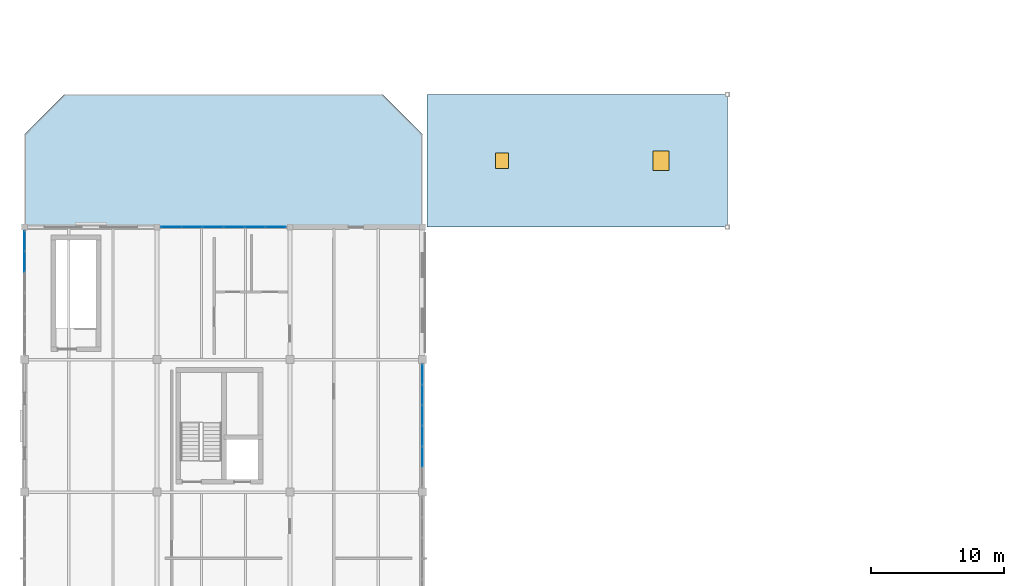
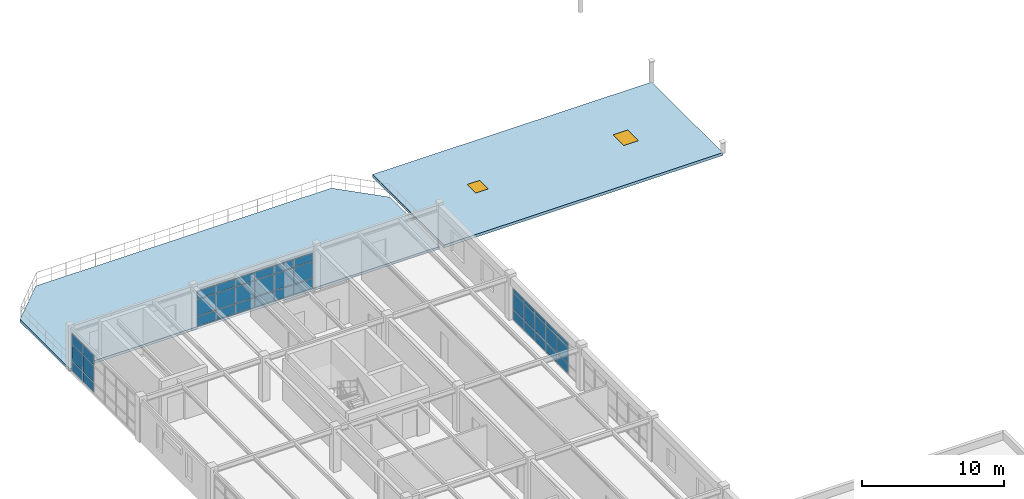
# One storey, part 16 of 23: 39 plates, 2 doors, 2 slabs, 2 openings, 3 elements without a shape of their own.
"""IFC4 building model written with IfcOpenShell, lengths in metres."""

from ifc_helpers import new_model, si_unit, direction, frame, origin, origin_2d, place, context, subcontext, project, spatial, polyline, rectangle, outline, extrude, material, layer, layer_set, type_object, element, fill, aggregate, save


model = new_model("IFC4")

# Units and contexts
model_context = context("Model", 3, precision=1e-05, world=origin(), true_north=direction((0.0, 1.0)))
body_context = subcontext(model_context, "Body", "Model", "MODEL_VIEW")
ifc_project = project(units=[si_unit("LENGTHUNIT", "METRE"), si_unit("AREAUNIT", "SQUARE_METRE"), si_unit("VOLUMEUNIT", "CUBIC_METRE"), si_unit("PLANEANGLEUNIT", "RADIAN"), si_unit("MASSUNIT", "GRAM", prefix="KILO"), si_unit("THERMODYNAMICTEMPERATUREUNIT", "KELVIN"), si_unit("POWERUNIT", "WATT")], contexts=[model_context])

# Site, building, storey
site_placement = place(None, origin())
site = spatial("IfcSite", under=ifc_project, at=site_placement, CompositionType="ELEMENT")
building_placement = place(site_placement, origin())
building = spatial("IfcBuilding", under=site, at=building_placement, Name="Korenveer Ferry Terminal", CompositionType="ELEMENT")
storey_placement = place(building_placement, frame((0.0, 0.0, 14.39990234375)))
storey = spatial("IfcBuildingStorey", under=building, at=storey_placement, Name="L03", CompositionType="ELEMENT", Elevation=14.39990234375)

# Curtain wall, plates
ifc_material_1 = material(Name="Unitised bronze-and-glass curtain wall", Category="glass")
ifc_layer_1 = layer(ifc_material_1, 0.159912109375)
ifc_layer_set_1 = layer_set([ifc_layer_1], Name="Unitised bronze-and-glass curtain wall")
curtain_wall_type_1 = type_object("IfcCurtainWallType", Name="ENV-CW-125", PredefinedType="USERDEFINED", material=ifc_layer_set_1)
curtain_wall_1_placement = place(storey_placement, frame((10.2548828125, 70.0, 0.0)))
curtain_wall_1 = element("IfcCurtainWall", 1, at=curtain_wall_1_placement, inside=storey, type_object=curtain_wall_type_1, Name="Lancet curtain wall CWX-L03-X10-20-Y70-70", ObjectType="UNITISED CURTAIN WALL", PredefinedType="USERDEFINED")
ifc_material_2 = material(Name="Low-iron solar-control double glazing", Category="glass")
ifc_layer_2 = layer(ifc_material_2, 0.028076171875)
ifc_layer_set_2 = layer_set([ifc_layer_2], Name="Low-iron solar-control double glazing")
plate_type = type_object("IfcPlateType", Name="ENV-CWP-GLZ28", PredefinedType="CURTAIN_PANEL", material=ifc_layer_set_2)
plate_1_placement = place(storey_placement, frame((11.060791015625, 70.0, 0.06005859375), z_axis=(0.0, 0.0, 1.0), x_axis=(1.0, 0.0, 0.0)))
plate_1 = element("IfcPlate", 2, at=plate_1_placement, type_object=plate_type, Name="CW-125 panel 1.1", PredefinedType="CURTAIN_PANEL", context=body_context, shape_type="SweptSolid", body=[
    extrude(rectangle(XDim=1.49169921875, YDim=0.028076171875, at=origin_2d()), origin(), (0.0, 0.0, 1.0), 0.81005859375),
])
plate_2_placement = place(storey_placement, frame((11.060791015625, 70.0, 0.93017578125), z_axis=(0.0, 0.0, 1.0), x_axis=(1.0, 0.0, 0.0)))
plate_2 = element("IfcPlate", 3, at=plate_2_placement, type_object=plate_type, Name="CW-125 panel 1.2", PredefinedType="CURTAIN_PANEL", context=body_context, shape_type="SweptSolid", body=[
    extrude(rectangle(XDim=1.49169921875, YDim=0.028076171875, at=origin_2d()), origin(), (0.0, 0.0, 1.0), 1.389892578125),
])
plate_3_placement = place(storey_placement, frame((11.060791015625, 70.0, 2.38037109375), z_axis=(0.0, 0.0, 1.0), x_axis=(1.0, 0.0, 0.0)))
plate_3 = element("IfcPlate", 4, at=plate_3_placement, type_object=plate_type, Name="CW-125 panel 1.3", PredefinedType="CURTAIN_PANEL", context=body_context, shape_type="SweptSolid", body=[
    extrude(rectangle(XDim=1.49169921875, YDim=0.028076171875, at=origin_2d()), origin(), (0.0, 0.0, 1.0), 0.659912109375),
])
plate_4_placement = place(storey_placement, frame((12.62744140625, 70.0, 0.06005859375), z_axis=(0.0, 0.0, 1.0), x_axis=(1.0, 0.0, 0.0)))
plate_4 = element("IfcPlate", 5, at=plate_4_placement, type_object=plate_type, Name="CW-125 panel 2.1", PredefinedType="CURTAIN_PANEL", context=body_context, shape_type="SweptSolid", body=[
    extrude(rectangle(XDim=1.521728515625, YDim=0.028076171875, at=origin_2d()), origin(), (0.0, 0.0, 1.0), 0.81005859375),
])
plate_5_placement = place(storey_placement, frame((12.62744140625, 70.0, 0.93017578125), z_axis=(0.0, 0.0, 1.0), x_axis=(1.0, 0.0, 0.0)))
plate_5 = element("IfcPlate", 6, at=plate_5_placement, type_object=plate_type, Name="CW-125 panel 2.2", PredefinedType="CURTAIN_PANEL", context=body_context, shape_type="SweptSolid", body=[
    extrude(rectangle(XDim=1.521728515625, YDim=0.028076171875, at=origin_2d()), origin(), (0.0, 0.0, 1.0), 1.389892578125),
])
plate_6_placement = place(storey_placement, frame((12.62744140625, 70.0, 2.38037109375), z_axis=(0.0, 0.0, 1.0), x_axis=(1.0, 0.0, 0.0)))
plate_6 = element("IfcPlate", 7, at=plate_6_placement, type_object=plate_type, Name="CW-125 panel 2.3", PredefinedType="CURTAIN_PANEL", context=body_context, shape_type="SweptSolid", body=[
    extrude(rectangle(XDim=1.521728515625, YDim=0.028076171875, at=origin_2d()), origin(), (0.0, 0.0, 1.0), 0.659912109375),
])
plate_7_placement = place(storey_placement, frame((14.209228515625, 70.0, 0.06005859375), z_axis=(0.0, 0.0, 1.0), x_axis=(1.0, 0.0, 0.0)))
plate_7 = element("IfcPlate", 8, at=plate_7_placement, type_object=plate_type, Name="CW-125 panel 3.1", PredefinedType="CURTAIN_PANEL", context=body_context, shape_type="SweptSolid", body=[
    extrude(rectangle(XDim=1.521728515625, YDim=0.028076171875, at=origin_2d()), origin(), (0.0, 0.0, 1.0), 0.81005859375),
])
plate_8_placement = place(storey_placement, frame((14.209228515625, 70.0, 0.93017578125), z_axis=(0.0, 0.0, 1.0), x_axis=(1.0, 0.0, 0.0)))
plate_8 = element("IfcPlate", 9, at=plate_8_placement, type_object=plate_type, Name="CW-125 panel 3.2", PredefinedType="CURTAIN_PANEL", context=body_context, shape_type="SweptSolid", body=[
    extrude(rectangle(XDim=1.521728515625, YDim=0.028076171875, at=origin_2d()), origin(), (0.0, 0.0, 1.0), 1.389892578125),
])
plate_9_placement = place(storey_placement, frame((14.209228515625, 70.0, 2.38037109375), z_axis=(0.0, 0.0, 1.0), x_axis=(1.0, 0.0, 0.0)))
plate_9 = element("IfcPlate", 10, at=plate_9_placement, type_object=plate_type, Name="CW-125 panel 3.3", PredefinedType="CURTAIN_PANEL", context=body_context, shape_type="SweptSolid", body=[
    extrude(rectangle(XDim=1.521728515625, YDim=0.028076171875, at=origin_2d()), origin(), (0.0, 0.0, 1.0), 0.659912109375),
])
plate_10_placement = place(storey_placement, frame((15.790771484375, 70.0, 0.06005859375), z_axis=(0.0, 0.0, 1.0), x_axis=(1.0, 0.0, 0.0)))
plate_10 = element("IfcPlate", 11, at=plate_10_placement, type_object=plate_type, Name="CW-125 panel 4.1", PredefinedType="CURTAIN_PANEL", context=body_context, shape_type="SweptSolid", body=[
    extrude(rectangle(XDim=1.521728515625, YDim=0.028076171875, at=origin_2d()), origin(), (0.0, 0.0, 1.0), 0.81005859375),
])
plate_11_placement = place(storey_placement, frame((15.790771484375, 70.0, 0.93017578125), z_axis=(0.0, 0.0, 1.0), x_axis=(1.0, 0.0, 0.0)))
plate_11 = element("IfcPlate", 12, at=plate_11_placement, type_object=plate_type, Name="CW-125 panel 4.2", PredefinedType="CURTAIN_PANEL", context=body_context, shape_type="SweptSolid", body=[
    extrude(rectangle(XDim=1.521728515625, YDim=0.028076171875, at=origin_2d()), origin(), (0.0, 0.0, 1.0), 1.389892578125),
])
plate_12_placement = place(storey_placement, frame((15.790771484375, 70.0, 2.38037109375), z_axis=(0.0, 0.0, 1.0), x_axis=(1.0, 0.0, 0.0)))
plate_12 = element("IfcPlate", 13, at=plate_12_placement, type_object=plate_type, Name="CW-125 panel 4.3", PredefinedType="CURTAIN_PANEL", context=body_context, shape_type="SweptSolid", body=[
    extrude(rectangle(XDim=1.521728515625, YDim=0.028076171875, at=origin_2d()), origin(), (0.0, 0.0, 1.0), 0.659912109375),
])
plate_13_placement = place(storey_placement, frame((17.37255859375, 70.0, 0.06005859375), z_axis=(0.0, 0.0, 1.0), x_axis=(1.0, 0.0, 0.0)))
plate_13 = element("IfcPlate", 14, at=plate_13_placement, type_object=plate_type, Name="CW-125 panel 5.1", PredefinedType="CURTAIN_PANEL", context=body_context, shape_type="SweptSolid", body=[
    extrude(rectangle(XDim=1.521728515625, YDim=0.028076171875, at=origin_2d()), origin(), (0.0, 0.0, 1.0), 0.81005859375),
])
plate_14_placement = place(storey_placement, frame((17.37255859375, 70.0, 0.93017578125), z_axis=(0.0, 0.0, 1.0), x_axis=(1.0, 0.0, 0.0)))
plate_14 = element("IfcPlate", 15, at=plate_14_placement, type_object=plate_type, Name="CW-125 panel 5.2", PredefinedType="CURTAIN_PANEL", context=body_context, shape_type="SweptSolid", body=[
    extrude(rectangle(XDim=1.521728515625, YDim=0.028076171875, at=origin_2d()), origin(), (0.0, 0.0, 1.0), 1.389892578125),
])
plate_15_placement = place(storey_placement, frame((17.37255859375, 70.0, 2.38037109375), z_axis=(0.0, 0.0, 1.0), x_axis=(1.0, 0.0, 0.0)))
plate_15 = element("IfcPlate", 16, at=plate_15_placement, type_object=plate_type, Name="CW-125 panel 5.3", PredefinedType="CURTAIN_PANEL", context=body_context, shape_type="SweptSolid", body=[
    extrude(rectangle(XDim=1.521728515625, YDim=0.028076171875, at=origin_2d()), origin(), (0.0, 0.0, 1.0), 0.659912109375),
])
plate_16_placement = place(storey_placement, frame((18.939208984375, 70.0, 0.06005859375), z_axis=(0.0, 0.0, 1.0), x_axis=(1.0, 0.0, 0.0)))
plate_16 = element("IfcPlate", 17, at=plate_16_placement, type_object=plate_type, Name="CW-125 panel 6.1", PredefinedType="CURTAIN_PANEL", context=body_context, shape_type="SweptSolid", body=[
    extrude(rectangle(XDim=1.49169921875, YDim=0.028076171875, at=origin_2d()), origin(), (0.0, 0.0, 1.0), 0.81005859375),
])
plate_17_placement = place(storey_placement, frame((18.939208984375, 70.0, 0.93017578125), z_axis=(0.0, 0.0, 1.0), x_axis=(1.0, 0.0, 0.0)))
plate_17 = element("IfcPlate", 18, at=plate_17_placement, type_object=plate_type, Name="CW-125 panel 6.2", PredefinedType="CURTAIN_PANEL", context=body_context, shape_type="SweptSolid", body=[
    extrude(rectangle(XDim=1.49169921875, YDim=0.028076171875, at=origin_2d()), origin(), (0.0, 0.0, 1.0), 1.389892578125),
])
plate_18_placement = place(storey_placement, frame((18.939208984375, 70.0, 2.38037109375), z_axis=(0.0, 0.0, 1.0), x_axis=(1.0, 0.0, 0.0)))
plate_18 = element("IfcPlate", 19, at=plate_18_placement, type_object=plate_type, Name="CW-125 panel 6.3", PredefinedType="CURTAIN_PANEL", context=body_context, shape_type="SweptSolid", body=[
    extrude(rectangle(XDim=1.49169921875, YDim=0.028076171875, at=origin_2d()), origin(), (0.0, 0.0, 1.0), 0.659912109375),
])
aggregate(curtain_wall_1, [plate_1, plate_2, plate_3, plate_4, plate_5, plate_6, plate_7, plate_8, plate_9, plate_10, plate_11, plate_12, plate_13, plate_14, plate_15, plate_16, plate_17, plate_18])

ifc_layer_3 = layer(ifc_material_1, 0.159912109375)
ifc_layer_set_3 = layer_set([ifc_layer_3], Name="Unitised bronze-and-glass curtain wall")
curtain_wall_type_2 = type_object("IfcCurtainWallType", Name="ENV-CW-126", PredefinedType="USERDEFINED", material=ifc_layer_set_3)
curtain_wall_2_placement = place(storey_placement, frame((0.0, 60.330078125, 0.0)))
curtain_wall_2 = element("IfcCurtainWall", 20, at=curtain_wall_2_placement, inside=storey, type_object=curtain_wall_type_2, Name="Lancet curtain wall CWX-L03-X0-0-Y60-70", ObjectType="UNITISED CURTAIN WALL", PredefinedType="USERDEFINED")
plate_19_placement = place(storey_placement, frame((0.0, 67.391357421875, 0.06005859375), z_axis=(0.0, 0.0, 1.0), x_axis=(0.0, 1.0, 0.0)))
plate_19 = element("IfcPlate", 21, at=plate_19_placement, type_object=plate_type, Name="CW-126 panel 5.1", PredefinedType="CURTAIN_PANEL", context=body_context, shape_type="SweptSolid", body=[
    extrude(rectangle(XDim=1.50927734375, YDim=0.028076171875, at=origin_2d()), origin(), (0.0, 0.0, 1.0), 0.81005859375),
])
plate_20_placement = place(storey_placement, frame((0.0, 67.391357421875, 0.93017578125), z_axis=(0.0, 0.0, 1.0), x_axis=(0.0, 1.0, 0.0)))
plate_20 = element("IfcPlate", 22, at=plate_20_placement, type_object=plate_type, Name="CW-126 panel 5.2", PredefinedType="CURTAIN_PANEL", context=body_context, shape_type="SweptSolid", body=[
    extrude(rectangle(XDim=1.50927734375, YDim=0.028076171875, at=origin_2d()), origin(), (0.0, 0.0, 1.0), 1.389892578125),
])
plate_21_placement = place(storey_placement, frame((0.0, 67.391357421875, 2.3798828125), z_axis=(0.0, 0.0, 1.0), x_axis=(0.0, 1.0, 0.0)))
plate_21 = element("IfcPlate", 23, at=plate_21_placement, type_object=plate_type, Name="CW-126 panel 5.3", PredefinedType="CURTAIN_PANEL", context=body_context, shape_type="SweptSolid", body=[
    extrude(rectangle(XDim=1.50927734375, YDim=0.028076171875, at=origin_2d()), origin(), (0.0, 0.0, 1.0), 0.860107421875),
])
plate_22_placement = place(storey_placement, frame((0.0, 68.9453125, 0.06005859375), z_axis=(0.0, 0.0, 1.0), x_axis=(0.0, 1.0, 0.0)))
plate_22 = element("IfcPlate", 24, at=plate_22_placement, type_object=plate_type, Name="CW-126 panel 6.1", PredefinedType="CURTAIN_PANEL", context=body_context, shape_type="SweptSolid", body=[
    extrude(rectangle(XDim=1.479248046875, YDim=0.028076171875, at=origin_2d()), origin(), (0.0, 0.0, 1.0), 0.81005859375),
])
plate_23_placement = place(storey_placement, frame((0.0, 68.9453125, 0.93017578125), z_axis=(0.0, 0.0, 1.0), x_axis=(0.0, 1.0, 0.0)))
plate_23 = element("IfcPlate", 25, at=plate_23_placement, type_object=plate_type, Name="CW-126 panel 6.2", PredefinedType="CURTAIN_PANEL", context=body_context, shape_type="SweptSolid", body=[
    extrude(rectangle(XDim=1.479248046875, YDim=0.028076171875, at=origin_2d()), origin(), (0.0, 0.0, 1.0), 1.389892578125),
])
plate_24_placement = place(storey_placement, frame((0.0, 68.9453125, 2.3798828125), z_axis=(0.0, 0.0, 1.0), x_axis=(0.0, 1.0, 0.0)))
plate_24 = element("IfcPlate", 26, at=plate_24_placement, type_object=plate_type, Name="CW-126 panel 6.3", PredefinedType="CURTAIN_PANEL", context=body_context, shape_type="SweptSolid", body=[
    extrude(rectangle(XDim=1.479248046875, YDim=0.028076171875, at=origin_2d()), origin(), (0.0, 0.0, 1.0), 0.860107421875),
])
aggregate(curtain_wall_2, [plate_19, plate_20, plate_21, plate_22, plate_23, plate_24])

ifc_layer_4 = layer(ifc_material_1, 0.159912109375)
ifc_layer_set_4 = layer_set([ifc_layer_4], Name="Unitised bronze-and-glass curtain wall")
curtain_wall_type_3 = type_object("IfcCurtainWallType", Name="ENV-CW-127", PredefinedType="USERDEFINED", material=ifc_layer_set_4)
curtain_wall_3_placement = place(storey_placement, frame((30.0, 59.669921875, 0.0)))
curtain_wall_3 = element("IfcCurtainWall", 27, at=curtain_wall_3_placement, inside=storey, type_object=curtain_wall_type_3, Name="Lancet curtain wall CWX-L03-X30-30-Y50-60", ObjectType="UNITISED CURTAIN WALL", PredefinedType="USERDEFINED")
plate_25_placement = place(storey_placement, frame((30.0, 58.876708984375, 0.06005859375), z_axis=(0.0, 0.0, 1.0), x_axis=(0.0, -1.0, 0.0)))
plate_25 = element("IfcPlate", 28, at=plate_25_placement, type_object=plate_type, Name="CW-127 panel 1.1", PredefinedType="CURTAIN_PANEL", context=body_context, shape_type="SweptSolid", body=[
    extrude(rectangle(XDim=1.466552734375, YDim=0.028076171875, at=origin_2d()), origin(), (0.0, 0.0, 1.0), 0.81005859375),
])
plate_26_placement = place(storey_placement, frame((30.0, 58.876708984375, 0.93017578125), z_axis=(0.0, 0.0, 1.0), x_axis=(0.0, -1.0, 0.0)))
plate_26 = element("IfcPlate", 29, at=plate_26_placement, type_object=plate_type, Name="CW-127 panel 1.2", PredefinedType="CURTAIN_PANEL", context=body_context, shape_type="SweptSolid", body=[
    extrude(rectangle(XDim=1.466552734375, YDim=0.028076171875, at=origin_2d()), origin(), (0.0, 0.0, 1.0), 1.389892578125),
])
plate_27_placement = place(storey_placement, frame((30.0, 58.876708984375, 2.380126953125), z_axis=(0.0, 0.0, 1.0), x_axis=(0.0, -1.0, 0.0)))
plate_27 = element("IfcPlate", 30, at=plate_27_placement, type_object=plate_type, Name="CW-127 panel 1.3", PredefinedType="CURTAIN_PANEL", context=body_context, shape_type="SweptSolid", body=[
    extrude(rectangle(XDim=1.466552734375, YDim=0.028076171875, at=origin_2d()), origin(), (0.0, 0.0, 1.0), 0.330078125),
])
plate_28_placement = place(storey_placement, frame((30.0, 57.3349609375, 0.06005859375), z_axis=(0.0, 0.0, 1.0), x_axis=(0.0, -1.0, 0.0)))
plate_28 = element("IfcPlate", 31, at=plate_28_placement, type_object=plate_type, Name="CW-127 panel 2.1", PredefinedType="CURTAIN_PANEL", context=body_context, shape_type="SweptSolid", body=[
    extrude(rectangle(XDim=1.49658203125, YDim=0.028076171875, at=origin_2d()), origin(), (0.0, 0.0, 1.0), 0.81005859375),
])
plate_29_placement = place(storey_placement, frame((30.0, 57.3349609375, 0.93017578125), z_axis=(0.0, 0.0, 1.0), x_axis=(0.0, -1.0, 0.0)))
plate_29 = element("IfcPlate", 32, at=plate_29_placement, type_object=plate_type, Name="CW-127 panel 2.2", PredefinedType="CURTAIN_PANEL", context=body_context, shape_type="SweptSolid", body=[
    extrude(rectangle(XDim=1.49658203125, YDim=0.028076171875, at=origin_2d()), origin(), (0.0, 0.0, 1.0), 1.389892578125),
])
plate_30_placement = place(storey_placement, frame((30.0, 57.3349609375, 2.380126953125), z_axis=(0.0, 0.0, 1.0), x_axis=(0.0, -1.0, 0.0)))
plate_30 = element("IfcPlate", 33, at=plate_30_placement, type_object=plate_type, Name="CW-127 panel 2.3", PredefinedType="CURTAIN_PANEL", context=body_context, shape_type="SweptSolid", body=[
    extrude(rectangle(XDim=1.49658203125, YDim=0.028076171875, at=origin_2d()), origin(), (0.0, 0.0, 1.0), 0.330078125),
])
plate_31_placement = place(storey_placement, frame((30.0, 55.7783203125, 0.06005859375), z_axis=(0.0, 0.0, 1.0), x_axis=(0.0, -1.0, 0.0)))
plate_31 = element("IfcPlate", 34, at=plate_31_placement, type_object=plate_type, Name="CW-127 panel 3.1", PredefinedType="CURTAIN_PANEL", context=body_context, shape_type="SweptSolid", body=[
    extrude(rectangle(XDim=1.49658203125, YDim=0.028076171875, at=origin_2d()), origin(), (0.0, 0.0, 1.0), 0.81005859375),
])
plate_32_placement = place(storey_placement, frame((30.0, 55.7783203125, 0.93017578125), z_axis=(0.0, 0.0, 1.0), x_axis=(0.0, -1.0, 0.0)))
plate_32 = element("IfcPlate", 35, at=plate_32_placement, type_object=plate_type, Name="CW-127 panel 3.2", PredefinedType="CURTAIN_PANEL", context=body_context, shape_type="SweptSolid", body=[
    extrude(rectangle(XDim=1.49658203125, YDim=0.028076171875, at=origin_2d()), origin(), (0.0, 0.0, 1.0), 1.389892578125),
])
plate_33_placement = place(storey_placement, frame((30.0, 55.7783203125, 2.380126953125), z_axis=(0.0, 0.0, 1.0), x_axis=(0.0, -1.0, 0.0)))
plate_33 = element("IfcPlate", 36, at=plate_33_placement, type_object=plate_type, Name="CW-127 panel 3.3", PredefinedType="CURTAIN_PANEL", context=body_context, shape_type="SweptSolid", body=[
    extrude(rectangle(XDim=1.49658203125, YDim=0.028076171875, at=origin_2d()), origin(), (0.0, 0.0, 1.0), 0.330078125),
])
plate_34_placement = place(storey_placement, frame((30.0, 54.2216796875, 0.06005859375), z_axis=(0.0, 0.0, 1.0), x_axis=(0.0, -1.0, 0.0)))
plate_34 = element("IfcPlate", 37, at=plate_34_placement, type_object=plate_type, Name="CW-127 panel 4.1", PredefinedType="CURTAIN_PANEL", context=body_context, shape_type="SweptSolid", body=[
    extrude(rectangle(XDim=1.49658203125, YDim=0.028076171875, at=origin_2d()), origin(), (0.0, 0.0, 1.0), 0.81005859375),
])
plate_35_placement = place(storey_placement, frame((30.0, 54.2216796875, 0.93017578125), z_axis=(0.0, 0.0, 1.0), x_axis=(0.0, -1.0, 0.0)))
plate_35 = element("IfcPlate", 38, at=plate_35_placement, type_object=plate_type, Name="CW-127 panel 4.2", PredefinedType="CURTAIN_PANEL", context=body_context, shape_type="SweptSolid", body=[
    extrude(rectangle(XDim=1.49658203125, YDim=0.028076171875, at=origin_2d()), origin(), (0.0, 0.0, 1.0), 1.389892578125),
])
plate_36_placement = place(storey_placement, frame((30.0, 54.2216796875, 2.380126953125), z_axis=(0.0, 0.0, 1.0), x_axis=(0.0, -1.0, 0.0)))
plate_36 = element("IfcPlate", 39, at=plate_36_placement, type_object=plate_type, Name="CW-127 panel 4.3", PredefinedType="CURTAIN_PANEL", context=body_context, shape_type="SweptSolid", body=[
    extrude(rectangle(XDim=1.49658203125, YDim=0.028076171875, at=origin_2d()), origin(), (0.0, 0.0, 1.0), 0.330078125),
])
plate_37_placement = place(storey_placement, frame((30.0, 52.6650390625, 0.06005859375), z_axis=(0.0, 0.0, 1.0), x_axis=(0.0, -1.0, 0.0)))
plate_37 = element("IfcPlate", 40, at=plate_37_placement, type_object=plate_type, Name="CW-127 panel 5.1", PredefinedType="CURTAIN_PANEL", context=body_context, shape_type="SweptSolid", body=[
    extrude(rectangle(XDim=1.49658203125, YDim=0.028076171875, at=origin_2d()), origin(), (0.0, 0.0, 1.0), 0.81005859375),
])
plate_38_placement = place(storey_placement, frame((30.0, 52.6650390625, 0.93017578125), z_axis=(0.0, 0.0, 1.0), x_axis=(0.0, -1.0, 0.0)))
plate_38 = element("IfcPlate", 41, at=plate_38_placement, type_object=plate_type, Name="CW-127 panel 5.2", PredefinedType="CURTAIN_PANEL", context=body_context, shape_type="SweptSolid", body=[
    extrude(rectangle(XDim=1.49658203125, YDim=0.028076171875, at=origin_2d()), origin(), (0.0, 0.0, 1.0), 1.389892578125),
])
plate_39_placement = place(storey_placement, frame((30.0, 52.6650390625, 2.380126953125), z_axis=(0.0, 0.0, 1.0), x_axis=(0.0, -1.0, 0.0)))
plate_39 = element("IfcPlate", 42, at=plate_39_placement, type_object=plate_type, Name="CW-127 panel 5.3", PredefinedType="CURTAIN_PANEL", context=body_context, shape_type="SweptSolid", body=[
    extrude(rectangle(XDim=1.49658203125, YDim=0.028076171875, at=origin_2d()), origin(), (0.0, 0.0, 1.0), 0.330078125),
])
aggregate(curtain_wall_3, [plate_25, plate_26, plate_27, plate_28, plate_29, plate_30, plate_31, plate_32, plate_33, plate_34, plate_35, plate_36, plate_37, plate_38, plate_39])

# Slab
ifc_material_3 = material(Name="Concrete C40/50", Category="concrete")
ifc_layer_5 = layer(ifc_material_3, 0.219970703125)
ifc_layer_set_5 = layer_set([ifc_layer_5], Name="Concrete C40/50")
slab_type_1 = type_object("IfcSlabType", Name="STR-SL-DECK220", PredefinedType="FLOOR", material=ifc_layer_set_5)
slab_1_placement = place(storey_placement, frame((0.0, 0.0, -0.219970703125)))
element("IfcSlab", 43, at=slab_1_placement, inside=storey, type_object=slab_type_1, Name="Harbour Operations Viewing Deck", PredefinedType="FLOOR", context=body_context, shape_type="SweptSolid", body=[
    extrude(outline(polyline([(0.0, 70.0), (30.0, 70.0), (30.0, 77.0), (27.0, 80.0), (3.0, 80.0), (0.0, 77.0), (0.0, 70.0)])), origin(), (0.0, 0.0, 1.0), 0.219970703125),
])

# Slab, openings, doors
ifc_material_4 = material(Name="Concrete C35/45", Category="concrete")
ifc_layer_6 = layer(ifc_material_4, 0.239990234375)
ifc_layer_set_6 = layer_set([ifc_layer_6], Name="Concrete C35/45")
slab_type_2 = type_object("IfcSlabType", Name="STR-SL-ROOF240", PredefinedType="ROOF", material=ifc_layer_set_6)
slab_2_placement = place(storey_placement, frame((0.0, 0.0, -0.239990234375)))
slab_2 = element("IfcSlab", 44, at=slab_2_placement, inside=storey, type_object=slab_type_2, Name="Concourse link flat roof 3", PredefinedType="ROOF", context=body_context, shape_type="SweptSolid", body=[
    extrude(outline(polyline([(30.35009765625, 70.0), (53.0, 70.0), (53.0, 80.0), (30.35009765625, 80.0), (30.35009765625, 70.0)])), origin(), (0.0, 0.0, 1.0), 0.239990234375),
])
opening_1_placement = place(slab_2_placement, frame((36.0, 75.0, -0.010009765625)))
opening_1 = element("IfcOpeningElement", 45, at=opening_1_placement, cuts=slab_2, Name="Opening RH-01", PredefinedType="OPENING", context=body_context, shape_type="SweptSolid", body=[
    extrude(rectangle(XDim=1.0, YDim=1.199951171875, at=origin_2d()), origin(), (0.0, 0.0, 1.0), 0.260009765625),
])
opening_2_placement = place(slab_2_placement, frame((48.0, 75.0, -0.010009765625)))
opening_2 = element("IfcOpeningElement", 46, at=opening_2_placement, cuts=slab_2, Name="Opening RH-02", PredefinedType="OPENING", context=body_context, shape_type="SweptSolid", body=[
    extrude(rectangle(XDim=1.199951171875, YDim=1.5, at=origin_2d()), origin(), (0.0, 0.0, 1.0), 0.260009765625),
])
ifc_material_5 = material(Name="Thermally broken bronze glazed door", Category="aluminium")
door_type_1 = type_object("IfcDoorType", Name="ENV-DR-HTCH100", OperationType="SINGLE_SWING_LEFT", PredefinedType="TRAPDOOR", material=ifc_material_5)
door_1_placement = place(slab_2_placement, frame((36.0, 75.0, 0.18994140625)))
door_1 = element("IfcDoor", 47, at=door_1_placement, inside=storey, type_object=door_type_1, Name="Roof maintenance access hatch 5", OperationType="SINGLE_SWING_LEFT", OverallHeight=1.199951171875, OverallWidth=1.0, PredefinedType="TRAPDOOR", context=body_context, shape_type="SweptSolid", body=[
    extrude(rectangle(XDim=1.0, YDim=1.199951171875, at=origin_2d()), origin(), (0.0, 0.0, 1.0), 0.050048828125),
])
fill(opening_1, door_1)
door_type_2 = type_object("IfcDoorType", Name="ENV-DR-HTCH120", OperationType="SINGLE_SWING_LEFT", PredefinedType="TRAPDOOR", material=ifc_material_5)
door_2_placement = place(slab_2_placement, frame((48.0, 75.0, 0.18994140625)))
door_2 = element("IfcDoor", 48, at=door_2_placement, inside=storey, type_object=door_type_2, Name="Roof maintenance access hatch 6", OperationType="SINGLE_SWING_LEFT", OverallHeight=1.5, OverallWidth=1.199951171875, PredefinedType="TRAPDOOR", context=body_context, shape_type="SweptSolid", body=[
    extrude(rectangle(XDim=1.199951171875, YDim=1.5, at=origin_2d()), origin(), (0.0, 0.0, 1.0), 0.050048828125),
])
fill(opening_2, door_2)

save(model, "model.ifc")
